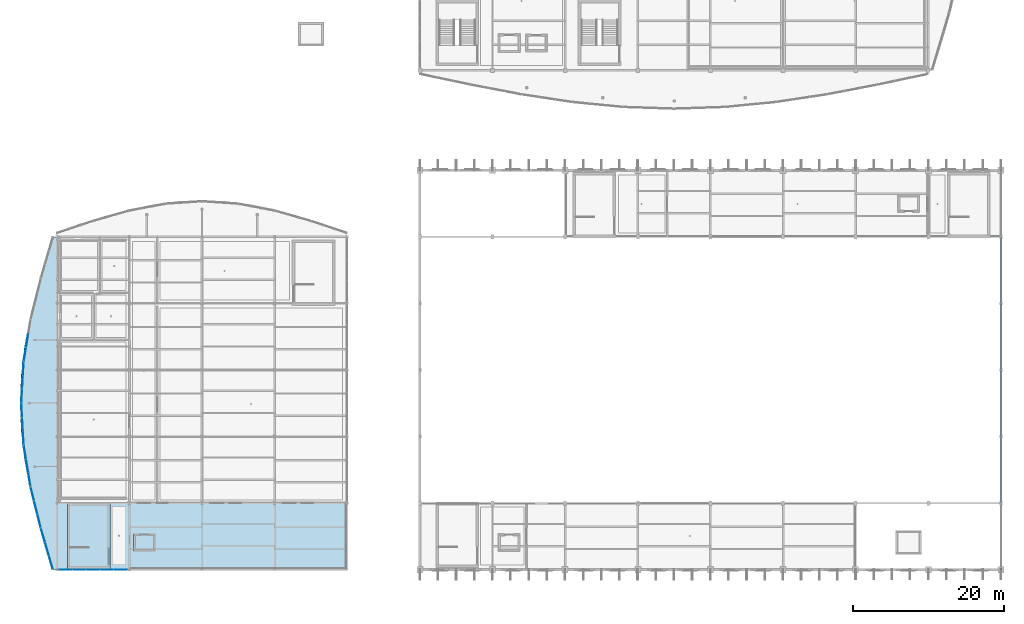
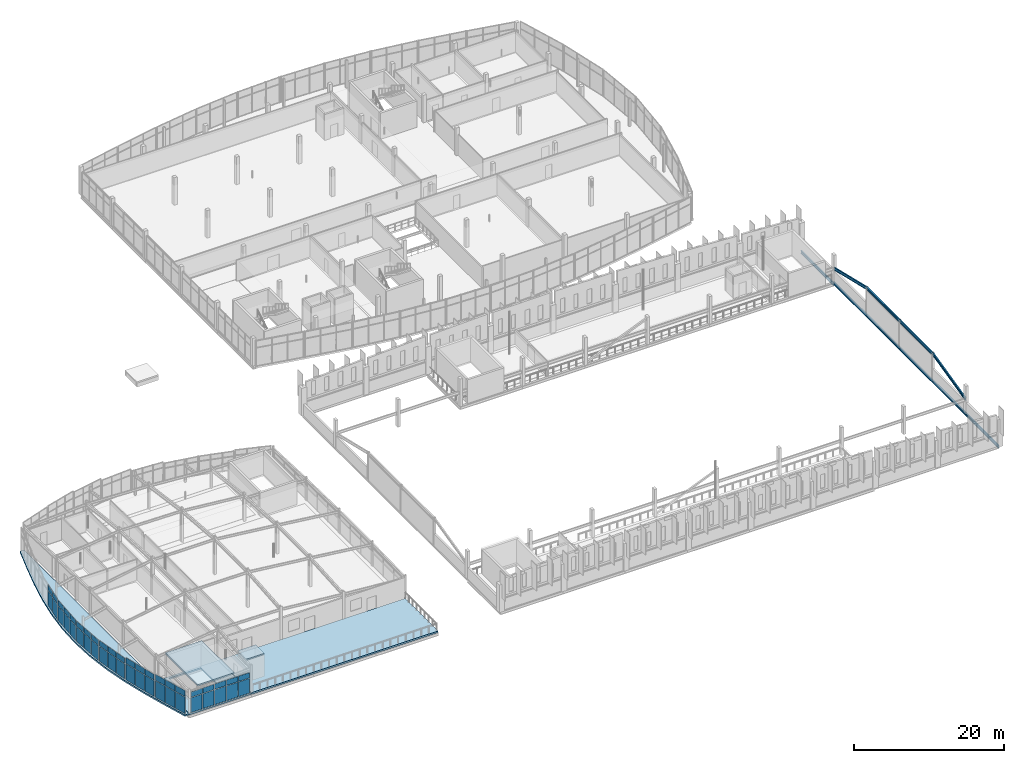
# One storey, part 81 of 114: 44 plates, 10 beams, 5 slabs, 7 elements without a shape of their own.
"""IFC4 building model written with IfcOpenShell, lengths in metres."""

from ifc_helpers import new_model, si_unit, direction, frame, origin, origin_2d, place, context, subcontext, project, spatial, polyline, rectangle, i_section, outline, extrude, material, layer, layer_set, material_profile, profile_set, type_object, element, aggregate, save


model = new_model("IFC4")

# Units and contexts
model_context = context("Model", 3, precision=1e-05, world=origin(), true_north=direction((0.0, 1.0)))
body_context = subcontext(model_context, "Body", "Model", "MODEL_VIEW")
ifc_project = project(units=[si_unit("LENGTHUNIT", "METRE"), si_unit("AREAUNIT", "SQUARE_METRE"), si_unit("VOLUMEUNIT", "CUBIC_METRE"), si_unit("PLANEANGLEUNIT", "RADIAN"), si_unit("MASSUNIT", "GRAM", prefix="KILO")], contexts=[model_context])

# Site, building, storey
site_placement = place(None, origin())
site = spatial("IfcSite", under=ifc_project, at=site_placement, CompositionType="ELEMENT")
building_placement = place(site_placement, origin())
building = spatial("IfcBuilding", under=site, at=building_placement, Name="Chalmorin Arch Market", CompositionType="ELEMENT")
storey_placement = place(building_placement, frame((0.0, 0.0, 9.60009765625)))
storey = spatial("IfcBuildingStorey", under=building, at=storey_placement, Name="L02", CompositionType="ELEMENT", Elevation=9.60009765625)

# Beams
ifc_material_1 = material(Name="Steel A992 Grade 50", Category="steel")
ifc_material_profile_1 = material_profile(ifc_material_1, i_section(OverallWidth=0.19091796875, OverallDepth=0.45703125, WebThickness=0.009033203125, FlangeThickness=0.014404296875, FilletRadius=0.02001953125, at=origin_2d()), Name="W18X50")
ifc_profile_set_1 = profile_set([ifc_material_profile_1], Name="Steel A992 Grade 50")
beam_type_1 = type_object("IfcBeamType", Name="FloorSteelBeam-W18X50", PredefinedType="BEAM", material=ifc_profile_set_1)
beam_1_placement = place(storey_placement, frame((124.800048828125, 14.800048828125, 2.14990234375), z_axis=(0.0, 0.972685343539, 0.232127599532), x_axis=(-1.0, 0.0, 0.0)))
element("IfcBeam", 1, at=beam_1_placement, inside=storey, type_object=beam_type_1, Name="BM-W18B-1800", PredefinedType="BEAM", context=body_context, shape_type="SweptSolid", body=[
    extrude(i_section(OverallWidth=0.19091796875, OverallDepth=0.45703125, WebThickness=0.009033203125, FlangeThickness=0.014404296875, FilletRadius=0.02001953125, at=origin_2d()), origin(), (0.0, 0.0, 1.0), 9.047119140625),
])
beam_2_placement = place(storey_placement, frame((124.800048828125, 23.60009765625, 4.25), z_axis=(0.0, 1.0, 0.0), x_axis=(-1.0, 0.0, 0.0)))
element("IfcBeam", 2, at=beam_2_placement, inside=storey, type_object=beam_type_1, Name="BM-W18B-1801", PredefinedType="BEAM", context=body_context, shape_type="SweptSolid", body=[
    extrude(i_section(OverallWidth=0.19091796875, OverallDepth=0.45703125, WebThickness=0.009033203125, FlangeThickness=0.014404296875, FilletRadius=0.02001953125, at=origin_2d()), origin(), (0.0, 0.0, 1.0), 8.7998046875),
])
beam_3_placement = place(storey_placement, frame((124.800048828125, 32.39990234375, 4.25), z_axis=(0.0, 1.0, 0.0), x_axis=(-1.0, 0.0, 0.0)))
element("IfcBeam", 3, at=beam_3_placement, inside=storey, type_object=beam_type_1, Name="BM-W18B-1802", PredefinedType="BEAM", context=body_context, shape_type="SweptSolid", body=[
    extrude(i_section(OverallWidth=0.19091796875, OverallDepth=0.45703125, WebThickness=0.009033203125, FlangeThickness=0.014404296875, FilletRadius=0.02001953125, at=origin_2d()), origin(), (0.0, 0.0, 1.0), 8.800048828125),
])
beam_4_placement = place(storey_placement, frame((124.800048828125, 41.199951171875, 4.25), z_axis=(0.0, 0.972685343539, -0.232127599532), x_axis=(-1.0, 0.0, 0.0)))
element("IfcBeam", 4, at=beam_4_placement, inside=storey, type_object=beam_type_1, Name="BM-W18B-1803", PredefinedType="BEAM", context=body_context, shape_type="SweptSolid", body=[
    extrude(i_section(OverallWidth=0.19091796875, OverallDepth=0.45703125, WebThickness=0.009033203125, FlangeThickness=0.014404296875, FilletRadius=0.02001953125, at=origin_2d()), origin(), (0.0, 0.0, 1.0), 9.047119140625),
])
ifc_material_profile_2 = material_profile(ifc_material_1, i_section(OverallWidth=0.19091796875, OverallDepth=0.45703125, WebThickness=0.009033203125, FlangeThickness=0.014404296875, FilletRadius=0.02001953125, at=origin_2d()), Name="W18X50")
ifc_profile_set_2 = profile_set([ifc_material_profile_2], Name="Steel A992 Grade 50")
beam_type_2 = type_object("IfcBeamType", Name="PerimeterSpandrelBeam-W18X50", PredefinedType="SPANDREL", material=ifc_profile_set_2)
for number, where, z_axis, x_axis, name in (
    (5, (124.800048828125, 50.0, -0.460693359375), (0.0, 1.0, 0.0), (-1.0, 0.0, 0.0), "SP-W18-1125"),
    (6, (124.800048828125, 6.0, -0.22998046875), (0.0, 1.0, 0.0), (-1.0, 0.0, 0.0), "SP-W18-1372"),
    (7, (124.800048828125, 14.800048828125, -0.22998046875), (0.0, 1.0, 0.0), (-1.0, 0.0, 0.0), "SP-W18-1373"),
):
    element("IfcBeam", number, at=place(storey_placement, frame(where, z_axis=z_axis, x_axis=x_axis)), inside=storey, type_object=beam_type_2, Name=name, PredefinedType="SPANDREL", context=body_context, shape_type="SweptSolid", body=[
        extrude(i_section(OverallWidth=0.19091796875, OverallDepth=0.45703125, WebThickness=0.009033203125, FlangeThickness=0.014404296875, FilletRadius=0.02001953125, at=origin_2d()), origin(), (0.0, 0.0, 1.0), 8.800048828125),
    ])
beam_5_placement = place(storey_placement, frame((124.800048828125, 23.60009765625, -0.22998046875), z_axis=(0.0, 1.0, 0.0), x_axis=(-1.0, 0.0, 0.0)))
element("IfcBeam", 8, at=beam_5_placement, inside=storey, type_object=beam_type_2, Name="SP-W18-1374", PredefinedType="SPANDREL", context=body_context, shape_type="SweptSolid", body=[
    extrude(i_section(OverallWidth=0.19091796875, OverallDepth=0.45703125, WebThickness=0.009033203125, FlangeThickness=0.014404296875, FilletRadius=0.02001953125, at=origin_2d()), origin(), (0.0, 0.0, 1.0), 8.7998046875),
])
for number, where, z_axis, x_axis, name in (
    (9, (124.800048828125, 32.39990234375, -0.22998046875), (0.0, 1.0, 0.0), (-1.0, 0.0, 0.0), "SP-W18-1375"),
    (10, (124.800048828125, 41.199951171875, -0.22998046875), (0.0, 1.0, 0.0), (-1.0, 0.0, 0.0), "SP-W18-1376"),
):
    element("IfcBeam", number, at=place(storey_placement, frame(where, z_axis=z_axis, x_axis=x_axis)), inside=storey, type_object=beam_type_2, Name=name, PredefinedType="SPANDREL", context=body_context, shape_type="SweptSolid", body=[
        extrude(i_section(OverallWidth=0.19091796875, OverallDepth=0.45703125, WebThickness=0.009033203125, FlangeThickness=0.014404296875, FilletRadius=0.02001953125, at=origin_2d()), origin(), (0.0, 0.0, 1.0), 8.800048828125),
    ])

# Slabs
ifc_material_2 = material(Name="Concrete C40/50", Category="concrete")
ifc_layer_1 = layer(ifc_material_2, 0.219970703125)
ifc_layer_set_1 = layer_set([ifc_layer_1], Name="Concrete C40/50")
slab_type_1 = type_object("IfcSlabType", Name="ColonnadeCanopySlab-220", PredefinedType="ROOF", material=ifc_layer_set_1)
slab_1_placement = place(storey_placement, frame((0.0, 0.0, 3.849853515625)))
element("IfcSlab", 11, at=slab_1_placement, inside=storey, type_object=slab_type_1, Name="RS-SC1-CAP", PredefinedType="ROOF", context=body_context, shape_type="SweptSolid", body=[
    extrude(outline(polyline([(1.429931640625, 6.179931640625), (7.070068359375, 6.179931640625), (7.070068359375, 14.820068359375), (1.429931640625, 14.820068359375), (1.429931640625, 6.179931640625)])), origin(), (0.0, 0.0, 1.0), 0.219970703125),
])
slab_2_placement = place(storey_placement, frame((0.0, 0.0, 3.5498046875)))
element("IfcSlab", 12, at=slab_2_placement, inside=storey, type_object=slab_type_1, Name="RS-LF-P1-OVR", PredefinedType="ROOF", context=body_context, shape_type="SweptSolid", body=[
    extrude(outline(polyline([(10.179931640625, 8.455078125), (13.02001953125, 8.455078125), (13.02001953125, 10.7451171875), (10.179931640625, 10.7451171875), (10.179931640625, 8.455078125)])), origin(), (0.0, 0.0, 1.0), 0.22021484375),
])
ifc_layer_2 = layer(ifc_material_2, 0.25)
ifc_layer_set_2 = layer_set([ifc_layer_2], Name="Concrete C40/50")
slab_type_2 = type_object("IfcSlabType", Name="MezzanineDeckSlab-250", PredefinedType="FLOOR", material=ifc_layer_set_2)
slab_3_placement = place(storey_placement, frame((0.0, 0.0, -0.25)))
element("IfcSlab", 13, at=slab_3_placement, inside=storey, type_object=slab_type_2, Name="FS-250-111", PredefinedType="FLOOR", context=body_context, shape_type="SweptSolid", body=[
    extrude(outline(polyline([(0.010009765625, 6.010009765625), (9.580078125, 6.010009765625), (9.580078125, 14.780029296875), (0.010009765625, 14.780029296875), (0.010009765625, 6.010009765625)]), holes=[polyline([(1.800048828125, 8.89990234375), (6.699951171875, 8.89990234375), (6.699951171875, 14.449951171875), (1.800048828125, 14.449951171875), (1.800048828125, 8.89990234375)])]), origin(), (0.0, 0.0, 1.0), 0.25),
])
slab_4_placement = place(storey_placement, frame((0.0, 0.0, -0.25)))
element("IfcSlab", 14, at=slab_4_placement, inside=storey, type_object=slab_type_2, Name="FS-250-130", PredefinedType="FLOOR", context=body_context, shape_type="SweptSolid", body=[
    extrude(outline(polyline([(-0.02001953125, 6.0), (-0.64990234375, 6.0), (-1.737060546875, 9.6669921875), (-2.75, 13.3330078125), (-3.6201171875, 17.0), (-4.287109375, 20.6669921875), (-4.70703125, 24.3330078125), (-4.85009765625, 28.0), (-4.70703125, 31.6669921875), (-4.287109375, 35.3330078125), (-3.6201171875, 39.0), (-2.75, 42.6669921875), (-1.737060546875, 46.3330078125), (-0.64990234375, 50.0), (-0.02001953125, 50.0), (-0.02001953125, 6.0)])), origin(), (0.0, 0.0, 1.0), 0.25),
])
ifc_layer_3 = layer(ifc_material_2, 0.260009765625)
ifc_layer_set_3 = layer_set([ifc_layer_3], Name="Concrete C40/50")
slab_type_3 = type_object("IfcSlabType", Name="OutdoorTerraceSlab-260", PredefinedType="FLOOR", material=ifc_layer_set_3)
slab_5_placement = place(storey_placement, frame((0.0, 0.0, -0.260009765625)))
element("IfcSlab", 15, at=slab_5_placement, inside=storey, type_object=slab_type_3, Name="ETS-260-110", PredefinedType="FLOOR", context=body_context, shape_type="SweptSolid", body=[
    extrude(outline(polyline([(9.6201171875, 6.010009765625), (38.389892578125, 6.010009765625), (38.389892578125, 14.780029296875), (9.6201171875, 14.780029296875), (9.6201171875, 6.010009765625)])), origin(), (0.0, 0.0, 1.0), 0.260009765625),
])

# Curtain wall, plates
ifc_material_3 = material(Name="Aluminium 6063-T6", Category="aluminium")
ifc_layer_4 = layer(ifc_material_3, 0.159912109375)
ifc_layer_set_4 = layer_set([ifc_layer_4], Name="Aluminium 6063-T6")
curtain_wall_type_1 = type_object("IfcCurtainWallType", Name="RiverfrontStorefrontCurtainWall-CW2-5550x3920", PredefinedType="NOTDEFINED", material=ifc_layer_set_4)
curtain_wall_1_placement = place(storey_placement, origin())
curtain_wall_1 = element("IfcCurtainWall", 16, at=curtain_wall_1_placement, inside=storey, type_object=curtain_wall_type_1, Name="CW-02-047", PredefinedType="NOTDEFINED")
ifc_material_4 = material(Name="Powder-coated Aluminium Panel", Category="aluminium")
ifc_layer_5 = layer(ifc_material_4, 0.0400390625)
ifc_layer_set_5 = layer_set([ifc_layer_5], Name="Powder-coated Aluminium Panel")
plate_type_1 = type_object("IfcPlateType", Name="ShadowboxSpandrelPanel-40", PredefinedType="CURTAIN_PANEL", material=ifc_layer_set_5)
plate_1_placement = place(storey_placement, frame((-0.7646484375, 6.974365234375, 2.8681640625), z_axis=(0.0, 0.0, 1.0), x_axis=(-0.275637355817, 0.961261695938, 0.0)))
plate_1 = element("IfcPlate", 17, at=plate_1_placement, type_object=plate_type_1, Name="SP-40-047-01B", PredefinedType="CURTAIN_PANEL", context=body_context, shape_type="SweptSolid", body=[
    extrude(rectangle(XDim=1.77001953125, YDim=0.0400390625, at=origin_2d()), origin(), (0.0, 0.0, 1.0), 0.98291015625),
])
plate_2_placement = place(storey_placement, frame((-1.283447265625, 8.75, 2.8681640625), z_axis=(0.0, 0.0, 1.0), x_axis=(-0.275637355817, 0.961261695938, 0.0)))
plate_2 = element("IfcPlate", 18, at=plate_2_placement, type_object=plate_type_1, Name="SP-40-047-02B", PredefinedType="CURTAIN_PANEL", context=body_context, shape_type="SweptSolid", body=[
    extrude(rectangle(XDim=1.77001953125, YDim=0.0400390625, at=origin_2d()), origin(), (0.0, 0.0, 1.0), 0.98291015625),
])
plate_3_placement = place(storey_placement, frame((-1.802490234375, 10.525634765625, 2.8681640625), z_axis=(0.0, 0.0, 1.0), x_axis=(-0.275637355817, 0.961261695938, 0.0)))
plate_3 = element("IfcPlate", 19, at=plate_3_placement, type_object=plate_type_1, Name="SP-40-047-03B", PredefinedType="CURTAIN_PANEL", context=body_context, shape_type="SweptSolid", body=[
    extrude(rectangle(XDim=1.77001953125, YDim=0.0400390625, at=origin_2d()), origin(), (0.0, 0.0, 1.0), 0.98291015625),
])

ifc_layer_6 = layer(ifc_material_3, 0.159912109375)
ifc_layer_set_6 = layer_set([ifc_layer_6], Name="Aluminium 6063-T6")
curtain_wall_type_2 = type_object("IfcCurtainWallType", Name="RiverfrontStorefrontCurtainWall-CW2-5490x3780", PredefinedType="NOTDEFINED", material=ifc_layer_set_6)
curtain_wall_2_placement = place(storey_placement, origin())
curtain_wall_2 = element("IfcCurtainWall", 20, at=curtain_wall_2_placement, inside=storey, type_object=curtain_wall_type_2, Name="CW-02-050", PredefinedType="NOTDEFINED")
plate_4_placement = place(storey_placement, frame((-2.32861328125, 12.474853515625, 2.76806640625), z_axis=(0.0, 0.0, 1.0), x_axis=(-0.2419218956, 0.970295726276, 0.0)))
plate_4 = element("IfcPlate", 21, at=plate_4_placement, type_object=plate_type_1, Name="SP-40-050-01B", PredefinedType="CURTAIN_PANEL", context=body_context, shape_type="SweptSolid", body=[
    extrude(rectangle(XDim=1.748779296875, YDim=0.0400390625, at=origin_2d()), origin(), (0.0, 0.0, 1.0), 0.944091796875),
])
plate_5_placement = place(storey_placement, frame((-2.7685546875, 14.25, 2.76806640625), z_axis=(0.0, 0.0, 1.0), x_axis=(-0.2419218956, 0.970295726276, 0.0)))
plate_5 = element("IfcPlate", 22, at=plate_5_placement, type_object=plate_type_1, Name="SP-40-050-02B", PredefinedType="CURTAIN_PANEL", context=body_context, shape_type="SweptSolid", body=[
    extrude(rectangle(XDim=1.748779296875, YDim=0.0400390625, at=origin_2d()), origin(), (0.0, 0.0, 1.0), 0.944091796875),
])
plate_6_placement = place(storey_placement, frame((-3.20849609375, 16.025146484375, 2.76806640625), z_axis=(0.0, 0.0, 1.0), x_axis=(-0.2419218956, 0.970295726276, 0.0)))
plate_6 = element("IfcPlate", 23, at=plate_6_placement, type_object=plate_type_1, Name="SP-40-050-03B", PredefinedType="CURTAIN_PANEL", context=body_context, shape_type="SweptSolid", body=[
    extrude(rectangle(XDim=1.748779296875, YDim=0.0400390625, at=origin_2d()), origin(), (0.0, 0.0, 1.0), 0.944091796875),
])

ifc_layer_7 = layer(ifc_material_3, 0.159912109375)
ifc_layer_set_7 = layer_set([ifc_layer_7], Name="Aluminium 6063-T6")
curtain_wall_type_3 = type_object("IfcCurtainWallType", Name="RiverfrontStorefrontCurtainWall-CW2-5390x3570", PredefinedType="NOTDEFINED", material=ifc_layer_set_7)
curtain_wall_3_placement = place(storey_placement, origin())
curtain_wall_3 = element("IfcCurtainWall", 24, at=curtain_wall_3_placement, inside=storey, type_object=curtain_wall_type_3, Name="CW-02-053", PredefinedType="NOTDEFINED")
plate_7_placement = place(storey_placement, frame((-3.611572265625, 17.975830078125, 2.61474609375), z_axis=(0.0, 0.0, 1.0), x_axis=(-0.15643446504, 0.987688340595, 0.0)))
plate_7 = element("IfcPlate", 25, at=plate_7_placement, type_object=plate_type_1, Name="SP-40-053-01B", PredefinedType="CURTAIN_PANEL", context=body_context, shape_type="SweptSolid", body=[
    extrude(rectangle(XDim=1.71826171875, YDim=0.0400390625, at=origin_2d()), origin(), (0.0, 0.0, 1.0), 0.88427734375),
])
plate_8_placement = place(storey_placement, frame((-3.905029296875, 19.75, 2.61474609375), z_axis=(0.0, 0.0, 1.0), x_axis=(-0.15643446504, 0.987688340595, 0.0)))
plate_8 = element("IfcPlate", 26, at=plate_8_placement, type_object=plate_type_1, Name="SP-40-053-02B", PredefinedType="CURTAIN_PANEL", context=body_context, shape_type="SweptSolid", body=[
    extrude(rectangle(XDim=1.71826171875, YDim=0.0400390625, at=origin_2d()), origin(), (0.0, 0.0, 1.0), 0.88427734375),
])
plate_9_placement = place(storey_placement, frame((-4.198486328125, 21.524169921875, 2.61474609375), z_axis=(0.0, 0.0, 1.0), x_axis=(-0.15643446504, 0.987688340595, 0.0)))
plate_9 = element("IfcPlate", 27, at=plate_9_placement, type_object=plate_type_1, Name="SP-40-053-03B", PredefinedType="CURTAIN_PANEL", context=body_context, shape_type="SweptSolid", body=[
    extrude(rectangle(XDim=1.71826171875, YDim=0.0400390625, at=origin_2d()), origin(), (0.0, 0.0, 1.0), 0.88427734375),
])

ifc_layer_8 = layer(ifc_material_3, 0.159912109375)
ifc_layer_set_8 = layer_set([ifc_layer_8], Name="Aluminium 6063-T6")
curtain_wall_type_4 = type_object("IfcCurtainWallType", Name="RiverfrontStorefrontCurtainWall-CW2-5330x3500", PredefinedType="NOTDEFINED", material=ifc_layer_set_8)
curtain_wall_4_placement = place(storey_placement, origin())
curtain_wall_4 = element("IfcCurtainWall", 28, at=curtain_wall_4_placement, inside=storey, type_object=curtain_wall_type_4, Name="CW-02-056", PredefinedType="NOTDEFINED")
plate_10_placement = place(storey_placement, frame((-4.416748046875, 23.4765625, 2.56494140625), z_axis=(0.0, 0.0, 1.0), x_axis=(-0.052335956243, 0.998629534755, 0.0)))
plate_10 = element("IfcPlate", 29, at=plate_10_placement, type_object=plate_type_1, Name="SP-40-056-01B", PredefinedType="CURTAIN_PANEL", context=body_context, shape_type="SweptSolid", body=[
    extrude(rectangle(XDim=1.696533203125, YDim=0.0400390625, at=origin_2d()), origin(), (0.0, 0.0, 1.0), 0.864990234375),
])
plate_11_placement = place(storey_placement, frame((-4.52001953125, 25.25, 2.56494140625), z_axis=(0.0, 0.0, 1.0), x_axis=(-0.052335956243, 0.998629534755, 0.0)))
plate_11 = element("IfcPlate", 30, at=plate_11_placement, type_object=plate_type_1, Name="SP-40-056-02B", PredefinedType="CURTAIN_PANEL", context=body_context, shape_type="SweptSolid", body=[
    extrude(rectangle(XDim=1.696533203125, YDim=0.0400390625, at=origin_2d()), origin(), (0.0, 0.0, 1.0), 0.864990234375),
])
plate_12_placement = place(storey_placement, frame((-4.623291015625, 27.0234375, 2.56494140625), z_axis=(0.0, 0.0, 1.0), x_axis=(-0.052335956243, 0.998629534755, 0.0)))
plate_12 = element("IfcPlate", 31, at=plate_12_placement, type_object=plate_type_1, Name="SP-40-056-03B", PredefinedType="CURTAIN_PANEL", context=body_context, shape_type="SweptSolid", body=[
    extrude(rectangle(XDim=1.696533203125, YDim=0.0400390625, at=origin_2d()), origin(), (0.0, 0.0, 1.0), 0.864990234375),
])

curtain_wall_5_placement = place(storey_placement, origin())
curtain_wall_5 = element("IfcCurtainWall", 32, at=curtain_wall_5_placement, inside=storey, type_object=curtain_wall_type_4, Name="CW-02-059", PredefinedType="NOTDEFINED")
plate_13_placement = place(storey_placement, frame((-4.623291015625, 28.9765625, 2.56494140625), z_axis=(0.0, 0.0, 1.0), x_axis=(0.052335956243, 0.998629534755, 0.0)))
plate_13 = element("IfcPlate", 33, at=plate_13_placement, type_object=plate_type_1, Name="SP-40-059-01B", PredefinedType="CURTAIN_PANEL", context=body_context, shape_type="SweptSolid", body=[
    extrude(rectangle(XDim=1.696533203125, YDim=0.0400390625, at=origin_2d()), origin(), (0.0, 0.0, 1.0), 0.864990234375),
])
plate_14_placement = place(storey_placement, frame((-4.52001953125, 30.75, 2.56494140625), z_axis=(0.0, 0.0, 1.0), x_axis=(0.052335956243, 0.998629534755, 0.0)))
plate_14 = element("IfcPlate", 34, at=plate_14_placement, type_object=plate_type_1, Name="SP-40-059-02B", PredefinedType="CURTAIN_PANEL", context=body_context, shape_type="SweptSolid", body=[
    extrude(rectangle(XDim=1.696533203125, YDim=0.0400390625, at=origin_2d()), origin(), (0.0, 0.0, 1.0), 0.864990234375),
])
plate_15_placement = place(storey_placement, frame((-4.416748046875, 32.5234375, 2.56494140625), z_axis=(0.0, 0.0, 1.0), x_axis=(0.052335956243, 0.998629534755, 0.0)))
plate_15 = element("IfcPlate", 35, at=plate_15_placement, type_object=plate_type_1, Name="SP-40-059-03B", PredefinedType="CURTAIN_PANEL", context=body_context, shape_type="SweptSolid", body=[
    extrude(rectangle(XDim=1.696533203125, YDim=0.0400390625, at=origin_2d()), origin(), (0.0, 0.0, 1.0), 0.864990234375),
])

curtain_wall_6_placement = place(storey_placement, origin())
curtain_wall_6 = element("IfcCurtainWall", 36, at=curtain_wall_6_placement, inside=storey, type_object=curtain_wall_type_3, Name="CW-02-062", PredefinedType="NOTDEFINED")
plate_16_placement = place(storey_placement, frame((-4.198486328125, 34.475830078125, 2.615234375), z_axis=(0.0, 0.0, 1.0), x_axis=(0.15643446504, 0.987688340595, 0.0)))
plate_16 = element("IfcPlate", 37, at=plate_16_placement, type_object=plate_type_1, Name="SP-40-062-01B", PredefinedType="CURTAIN_PANEL", context=body_context, shape_type="SweptSolid", body=[
    extrude(rectangle(XDim=1.71826171875, YDim=0.0400390625, at=origin_2d()), origin(), (0.0, 0.0, 1.0), 0.884521484375),
])
plate_17_placement = place(storey_placement, frame((-3.905029296875, 36.25, 2.615234375), z_axis=(0.0, 0.0, 1.0), x_axis=(0.15643446504, 0.987688340595, 0.0)))
plate_17 = element("IfcPlate", 38, at=plate_17_placement, type_object=plate_type_1, Name="SP-40-062-02B", PredefinedType="CURTAIN_PANEL", context=body_context, shape_type="SweptSolid", body=[
    extrude(rectangle(XDim=1.71826171875, YDim=0.0400390625, at=origin_2d()), origin(), (0.0, 0.0, 1.0), 0.884521484375),
])

ifc_layer_9 = layer(ifc_material_3, 0.159912109375)
ifc_layer_set_9 = layer_set([ifc_layer_9], Name="Aluminium 6063-T6")
curtain_wall_type_5 = type_object("IfcCurtainWallType", Name="RiverfrontStorefrontCurtainWall-CW2-9130x3500", PredefinedType="NOTDEFINED", material=ifc_layer_set_9)
curtain_wall_7_placement = place(storey_placement, origin())
curtain_wall_7 = element("IfcCurtainWall", 39, at=curtain_wall_7_placement, inside=storey, type_object=curtain_wall_type_5, Name="CW-02-094", PredefinedType="NOTDEFINED")
plate_18_placement = place(storey_placement, frame((1.149658203125, 6.0, 2.56494140625), z_axis=(0.0, 0.0, 1.0), x_axis=(1.0, 0.0, 0.0)))
plate_18 = element("IfcPlate", 40, at=plate_18_placement, type_object=plate_type_1, Name="SP-40-094-01B", PredefinedType="CURTAIN_PANEL", context=body_context, shape_type="SweptSolid", body=[
    extrude(rectangle(XDim=1.7451171875, YDim=0.0400390625, at=origin_2d()), origin(), (0.0, 0.0, 1.0), 0.864990234375),
])
plate_19_placement = place(storey_placement, frame((2.974853515625, 6.0, 2.56494140625), z_axis=(0.0, 0.0, 1.0), x_axis=(1.0, 0.0, 0.0)))
plate_19 = element("IfcPlate", 41, at=plate_19_placement, type_object=plate_type_1, Name="SP-40-094-02B", PredefinedType="CURTAIN_PANEL", context=body_context, shape_type="SweptSolid", body=[
    extrude(rectangle(XDim=1.7451171875, YDim=0.0400390625, at=origin_2d()), origin(), (0.0, 0.0, 1.0), 0.864990234375),
])
plate_20_placement = place(storey_placement, frame((4.800048828125, 6.0, 2.56494140625), z_axis=(0.0, 0.0, 1.0), x_axis=(1.0, 0.0, 0.0)))
plate_20 = element("IfcPlate", 42, at=plate_20_placement, type_object=plate_type_1, Name="SP-40-094-03B", PredefinedType="CURTAIN_PANEL", context=body_context, shape_type="SweptSolid", body=[
    extrude(rectangle(XDim=1.7451171875, YDim=0.0400390625, at=origin_2d()), origin(), (0.0, 0.0, 1.0), 0.864990234375),
])
plate_21_placement = place(storey_placement, frame((6.625244140625, 6.0, 2.56494140625), z_axis=(0.0, 0.0, 1.0), x_axis=(1.0, 0.0, 0.0)))
plate_21 = element("IfcPlate", 43, at=plate_21_placement, type_object=plate_type_1, Name="SP-40-094-04B", PredefinedType="CURTAIN_PANEL", context=body_context, shape_type="SweptSolid", body=[
    extrude(rectangle(XDim=1.7451171875, YDim=0.0400390625, at=origin_2d()), origin(), (0.0, 0.0, 1.0), 0.864990234375),
])
plate_22_placement = place(storey_placement, frame((8.450439453125, 6.0, 2.56494140625), z_axis=(0.0, 0.0, 1.0), x_axis=(1.0, 0.0, 0.0)))
plate_22 = element("IfcPlate", 44, at=plate_22_placement, type_object=plate_type_1, Name="SP-40-094-05B", PredefinedType="CURTAIN_PANEL", context=body_context, shape_type="SweptSolid", body=[
    extrude(rectangle(XDim=1.7451171875, YDim=0.0400390625, at=origin_2d()), origin(), (0.0, 0.0, 1.0), 0.864990234375),
])

# Plate
ifc_material_5 = material(Name="Low-E Tempered Glass", Category="glass")
ifc_layer_10 = layer(ifc_material_5, 0.028076171875)
ifc_layer_set_10 = layer_set([ifc_layer_10], Name="Low-E Tempered Glass")
plate_type_2 = type_object("IfcPlateType", Name="VisionIGUPanel-28", PredefinedType="CURTAIN_PANEL", material=ifc_layer_set_10)
plate_23_placement = place(storey_placement, frame((-0.7646484375, 6.974365234375, 0.06982421875), z_axis=(0.0, 0.0, 1.0), x_axis=(-0.275637355817, 0.961261695938, 0.0)))
plate_23 = element("IfcPlate", 45, at=plate_23_placement, type_object=plate_type_2, Name="GL-28-047-01A", PredefinedType="CURTAIN_PANEL", context=body_context, shape_type="SweptSolid", body=[
    extrude(rectangle(XDim=1.77001953125, YDim=0.028076171875, at=origin_2d()), origin(), (0.0, 0.0, 1.0), 2.7080078125),
])

plate_24_placement = place(storey_placement, frame((-1.283447265625, 8.75, 0.06982421875), z_axis=(0.0, 0.0, 1.0), x_axis=(-0.275637355817, 0.961261695938, 0.0)))
plate_24 = element("IfcPlate", 46, at=plate_24_placement, type_object=plate_type_2, Name="GL-28-047-02A", PredefinedType="CURTAIN_PANEL", context=body_context, shape_type="SweptSolid", body=[
    extrude(rectangle(XDim=1.77001953125, YDim=0.028076171875, at=origin_2d()), origin(), (0.0, 0.0, 1.0), 2.7080078125),
])

plate_25_placement = place(storey_placement, frame((-1.802490234375, 10.525634765625, 0.06982421875), z_axis=(0.0, 0.0, 1.0), x_axis=(-0.275637355817, 0.961261695938, 0.0)))
plate_25 = element("IfcPlate", 47, at=plate_25_placement, type_object=plate_type_2, Name="GL-28-047-03A", PredefinedType="CURTAIN_PANEL", context=body_context, shape_type="SweptSolid", body=[
    extrude(rectangle(XDim=1.77001953125, YDim=0.028076171875, at=origin_2d()), origin(), (0.0, 0.0, 1.0), 2.7080078125),
])

aggregate(curtain_wall_1, [plate_23, plate_1, plate_24, plate_2, plate_25, plate_3])

plate_26_placement = place(storey_placement, frame((-2.32861328125, 12.474853515625, 0.070068359375), z_axis=(0.0, 0.0, 1.0), x_axis=(-0.2419218956, 0.970295726276, 0.0)))
plate_26 = element("IfcPlate", 48, at=plate_26_placement, type_object=plate_type_2, Name="GL-28-050-01A", PredefinedType="CURTAIN_PANEL", context=body_context, shape_type="SweptSolid", body=[
    extrude(rectangle(XDim=1.748779296875, YDim=0.028076171875, at=origin_2d()), origin(), (0.0, 0.0, 1.0), 2.60791015625),
])

plate_27_placement = place(storey_placement, frame((-2.7685546875, 14.25, 0.070068359375), z_axis=(0.0, 0.0, 1.0), x_axis=(-0.2419218956, 0.970295726276, 0.0)))
plate_27 = element("IfcPlate", 49, at=plate_27_placement, type_object=plate_type_2, Name="GL-28-050-02A", PredefinedType="CURTAIN_PANEL", context=body_context, shape_type="SweptSolid", body=[
    extrude(rectangle(XDim=1.748779296875, YDim=0.028076171875, at=origin_2d()), origin(), (0.0, 0.0, 1.0), 2.60791015625),
])

plate_28_placement = place(storey_placement, frame((-3.20849609375, 16.025146484375, 0.070068359375), z_axis=(0.0, 0.0, 1.0), x_axis=(-0.2419218956, 0.970295726276, 0.0)))
plate_28 = element("IfcPlate", 50, at=plate_28_placement, type_object=plate_type_2, Name="GL-28-050-03A", PredefinedType="CURTAIN_PANEL", context=body_context, shape_type="SweptSolid", body=[
    extrude(rectangle(XDim=1.748779296875, YDim=0.028076171875, at=origin_2d()), origin(), (0.0, 0.0, 1.0), 2.60791015625),
])

aggregate(curtain_wall_2, [plate_26, plate_4, plate_27, plate_5, plate_28, plate_6])

plate_29_placement = place(storey_placement, frame((-3.611572265625, 17.975830078125, 0.06982421875), z_axis=(0.0, 0.0, 1.0), x_axis=(-0.15643446504, 0.987688340595, 0.0)))
plate_29 = element("IfcPlate", 51, at=plate_29_placement, type_object=plate_type_2, Name="GL-28-053-01A", PredefinedType="CURTAIN_PANEL", context=body_context, shape_type="SweptSolid", body=[
    extrude(rectangle(XDim=1.71826171875, YDim=0.028076171875, at=origin_2d()), origin(), (0.0, 0.0, 1.0), 2.45458984375),
])

plate_30_placement = place(storey_placement, frame((-3.905029296875, 19.75, 0.06982421875), z_axis=(0.0, 0.0, 1.0), x_axis=(-0.15643446504, 0.987688340595, 0.0)))
plate_30 = element("IfcPlate", 52, at=plate_30_placement, type_object=plate_type_2, Name="GL-28-053-02A", PredefinedType="CURTAIN_PANEL", context=body_context, shape_type="SweptSolid", body=[
    extrude(rectangle(XDim=1.71826171875, YDim=0.028076171875, at=origin_2d()), origin(), (0.0, 0.0, 1.0), 2.45458984375),
])

plate_31_placement = place(storey_placement, frame((-4.198486328125, 21.524169921875, 0.06982421875), z_axis=(0.0, 0.0, 1.0), x_axis=(-0.15643446504, 0.987688340595, 0.0)))
plate_31 = element("IfcPlate", 53, at=plate_31_placement, type_object=plate_type_2, Name="GL-28-053-03A", PredefinedType="CURTAIN_PANEL", context=body_context, shape_type="SweptSolid", body=[
    extrude(rectangle(XDim=1.71826171875, YDim=0.028076171875, at=origin_2d()), origin(), (0.0, 0.0, 1.0), 2.45458984375),
])

aggregate(curtain_wall_3, [plate_29, plate_7, plate_30, plate_8, plate_31, plate_9])

plate_32_placement = place(storey_placement, frame((-4.416748046875, 23.4765625, 0.06982421875), z_axis=(0.0, 0.0, 1.0), x_axis=(-0.052335956243, 0.998629534755, 0.0)))
plate_32 = element("IfcPlate", 54, at=plate_32_placement, type_object=plate_type_2, Name="GL-28-056-01A", PredefinedType="CURTAIN_PANEL", context=body_context, shape_type="SweptSolid", body=[
    extrude(rectangle(XDim=1.696533203125, YDim=0.028076171875, at=origin_2d()), origin(), (0.0, 0.0, 1.0), 2.405029296875),
])

plate_33_placement = place(storey_placement, frame((-4.52001953125, 25.25, 0.06982421875), z_axis=(0.0, 0.0, 1.0), x_axis=(-0.052335956243, 0.998629534755, 0.0)))
plate_33 = element("IfcPlate", 55, at=plate_33_placement, type_object=plate_type_2, Name="GL-28-056-02A", PredefinedType="CURTAIN_PANEL", context=body_context, shape_type="SweptSolid", body=[
    extrude(rectangle(XDim=1.696533203125, YDim=0.028076171875, at=origin_2d()), origin(), (0.0, 0.0, 1.0), 2.405029296875),
])

plate_34_placement = place(storey_placement, frame((-4.623291015625, 27.0234375, 0.06982421875), z_axis=(0.0, 0.0, 1.0), x_axis=(-0.052335956243, 0.998629534755, 0.0)))
plate_34 = element("IfcPlate", 56, at=plate_34_placement, type_object=plate_type_2, Name="GL-28-056-03A", PredefinedType="CURTAIN_PANEL", context=body_context, shape_type="SweptSolid", body=[
    extrude(rectangle(XDim=1.696533203125, YDim=0.028076171875, at=origin_2d()), origin(), (0.0, 0.0, 1.0), 2.405029296875),
])

aggregate(curtain_wall_4, [plate_32, plate_10, plate_33, plate_11, plate_34, plate_12])

plate_35_placement = place(storey_placement, frame((-4.623291015625, 28.9765625, 0.06982421875), z_axis=(0.0, 0.0, 1.0), x_axis=(0.052335956243, 0.998629534755, 0.0)))
plate_35 = element("IfcPlate", 57, at=plate_35_placement, type_object=plate_type_2, Name="GL-28-059-01A", PredefinedType="CURTAIN_PANEL", context=body_context, shape_type="SweptSolid", body=[
    extrude(rectangle(XDim=1.696533203125, YDim=0.028076171875, at=origin_2d()), origin(), (0.0, 0.0, 1.0), 2.405029296875),
])

plate_36_placement = place(storey_placement, frame((-4.52001953125, 30.75, 0.06982421875), z_axis=(0.0, 0.0, 1.0), x_axis=(0.052335956243, 0.998629534755, 0.0)))
plate_36 = element("IfcPlate", 58, at=plate_36_placement, type_object=plate_type_2, Name="GL-28-059-02A", PredefinedType="CURTAIN_PANEL", context=body_context, shape_type="SweptSolid", body=[
    extrude(rectangle(XDim=1.696533203125, YDim=0.028076171875, at=origin_2d()), origin(), (0.0, 0.0, 1.0), 2.405029296875),
])

plate_37_placement = place(storey_placement, frame((-4.416748046875, 32.5234375, 0.06982421875), z_axis=(0.0, 0.0, 1.0), x_axis=(0.052335956243, 0.998629534755, 0.0)))
plate_37 = element("IfcPlate", 59, at=plate_37_placement, type_object=plate_type_2, Name="GL-28-059-03A", PredefinedType="CURTAIN_PANEL", context=body_context, shape_type="SweptSolid", body=[
    extrude(rectangle(XDim=1.696533203125, YDim=0.028076171875, at=origin_2d()), origin(), (0.0, 0.0, 1.0), 2.405029296875),
])

aggregate(curtain_wall_5, [plate_35, plate_13, plate_36, plate_14, plate_37, plate_15])

plate_38_placement = place(storey_placement, frame((-4.198486328125, 34.475830078125, 0.06982421875), z_axis=(0.0, 0.0, 1.0), x_axis=(0.15643446504, 0.987688340595, 0.0)))
plate_38 = element("IfcPlate", 60, at=plate_38_placement, type_object=plate_type_2, Name="GL-28-062-01A", PredefinedType="CURTAIN_PANEL", context=body_context, shape_type="SweptSolid", body=[
    extrude(rectangle(XDim=1.71826171875, YDim=0.028076171875, at=origin_2d()), origin(), (0.0, 0.0, 1.0), 2.455322265625),
])

plate_39_placement = place(storey_placement, frame((-3.905029296875, 36.25, 0.06982421875), z_axis=(0.0, 0.0, 1.0), x_axis=(0.15643446504, 0.987688340595, 0.0)))
plate_39 = element("IfcPlate", 61, at=plate_39_placement, type_object=plate_type_2, Name="GL-28-062-02A", PredefinedType="CURTAIN_PANEL", context=body_context, shape_type="SweptSolid", body=[
    extrude(rectangle(XDim=1.71826171875, YDim=0.028076171875, at=origin_2d()), origin(), (0.0, 0.0, 1.0), 2.455322265625),
])

aggregate(curtain_wall_6, [plate_38, plate_16, plate_39, plate_17])

plate_40_placement = place(storey_placement, frame((1.149658203125, 6.0, 0.06982421875), z_axis=(0.0, 0.0, 1.0), x_axis=(1.0, 0.0, 0.0)))
plate_40 = element("IfcPlate", 62, at=plate_40_placement, type_object=plate_type_2, Name="GL-28-094-01A", PredefinedType="CURTAIN_PANEL", context=body_context, shape_type="SweptSolid", body=[
    extrude(rectangle(XDim=1.7451171875, YDim=0.028076171875, at=origin_2d()), origin(), (0.0, 0.0, 1.0), 2.405029296875),
])

plate_41_placement = place(storey_placement, frame((2.974853515625, 6.0, 0.06982421875), z_axis=(0.0, 0.0, 1.0), x_axis=(1.0, 0.0, 0.0)))
plate_41 = element("IfcPlate", 63, at=plate_41_placement, type_object=plate_type_2, Name="GL-28-094-02A", PredefinedType="CURTAIN_PANEL", context=body_context, shape_type="SweptSolid", body=[
    extrude(rectangle(XDim=1.7451171875, YDim=0.028076171875, at=origin_2d()), origin(), (0.0, 0.0, 1.0), 2.405029296875),
])

plate_42_placement = place(storey_placement, frame((4.800048828125, 6.0, 0.06982421875), z_axis=(0.0, 0.0, 1.0), x_axis=(1.0, 0.0, 0.0)))
plate_42 = element("IfcPlate", 64, at=plate_42_placement, type_object=plate_type_2, Name="GL-28-094-03A", PredefinedType="CURTAIN_PANEL", context=body_context, shape_type="SweptSolid", body=[
    extrude(rectangle(XDim=1.7451171875, YDim=0.028076171875, at=origin_2d()), origin(), (0.0, 0.0, 1.0), 2.405029296875),
])

plate_43_placement = place(storey_placement, frame((6.625244140625, 6.0, 0.06982421875), z_axis=(0.0, 0.0, 1.0), x_axis=(1.0, 0.0, 0.0)))
plate_43 = element("IfcPlate", 65, at=plate_43_placement, type_object=plate_type_2, Name="GL-28-094-04A", PredefinedType="CURTAIN_PANEL", context=body_context, shape_type="SweptSolid", body=[
    extrude(rectangle(XDim=1.7451171875, YDim=0.028076171875, at=origin_2d()), origin(), (0.0, 0.0, 1.0), 2.405029296875),
])

plate_44_placement = place(storey_placement, frame((8.450439453125, 6.0, 0.06982421875), z_axis=(0.0, 0.0, 1.0), x_axis=(1.0, 0.0, 0.0)))
plate_44 = element("IfcPlate", 66, at=plate_44_placement, type_object=plate_type_2, Name="GL-28-094-05A", PredefinedType="CURTAIN_PANEL", context=body_context, shape_type="SweptSolid", body=[
    extrude(rectangle(XDim=1.7451171875, YDim=0.028076171875, at=origin_2d()), origin(), (0.0, 0.0, 1.0), 2.405029296875),
])

aggregate(curtain_wall_7, [plate_40, plate_18, plate_41, plate_19, plate_42, plate_20, plate_43, plate_21, plate_44, plate_22])

save(model, "model.ifc")
